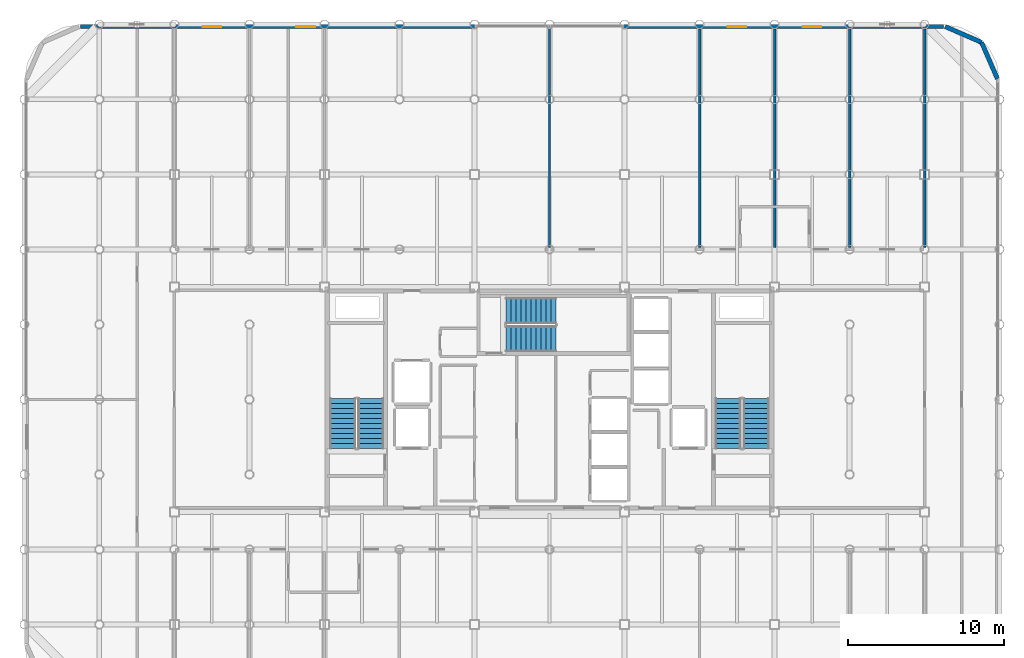
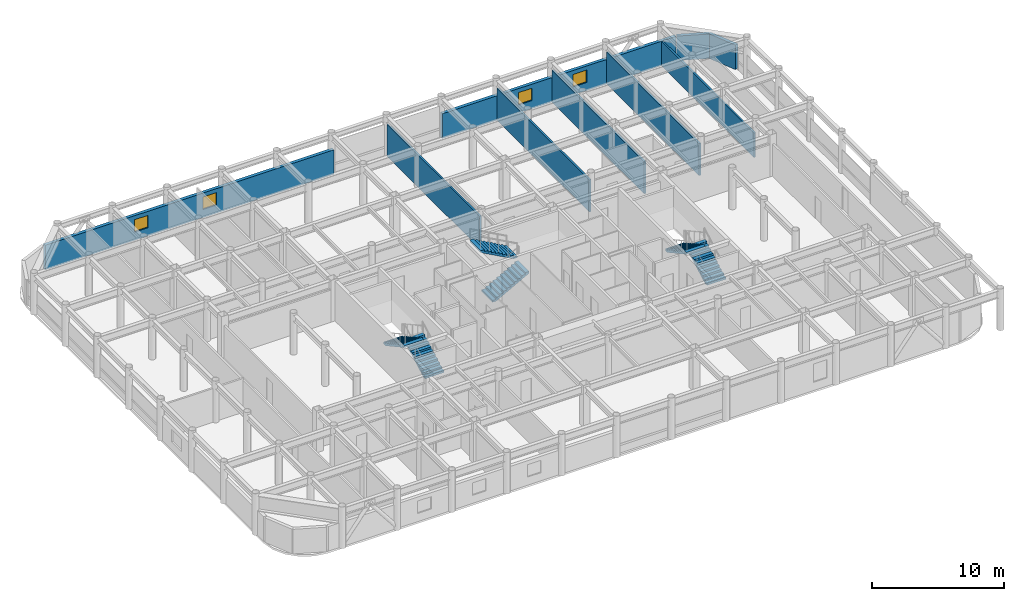
# One storey, part 21 of 22: 9 walls, 6 stair flights, 4 windows, 4 openings, 3 elements without a shape of their own.
"""IFC4 building model written with IfcOpenShell, lengths in metres."""

from ifc_helpers import new_model, si_unit, direction, frame, frame_2d, origin, place, context, subcontext, project, spatial, polyline, rectangle, outline, extrude, material, layer, layer_set, type_object, element, fill, aggregate, save


model = new_model("IFC4")

# Units and contexts
model_context = context("Model", 3, precision=1e-05, world=origin(), true_north=direction((0.0, 1.0)))
body_context = subcontext(model_context, "Body", "Model", "MODEL_VIEW")
ifc_project = project(units=[si_unit("LENGTHUNIT", "METRE"), si_unit("AREAUNIT", "SQUARE_METRE"), si_unit("VOLUMEUNIT", "CUBIC_METRE"), si_unit("PLANEANGLEUNIT", "RADIAN"), si_unit("MASSUNIT", "GRAM", prefix="KILO")], contexts=[model_context])

# Site, building, storey
site_placement = place(None, origin())
site = spatial("IfcSite", under=ifc_project, at=site_placement, CompositionType="ELEMENT")
building_placement = place(site_placement, origin())
building = spatial("IfcBuilding", under=site, at=building_placement, Name="Kallvorn Hotel Tower", CompositionType="ELEMENT")
storey_placement = place(building_placement, frame((0.0, 0.0, 260.800048828125)))
storey = spatial("IfcBuildingStorey", under=building, at=storey_placement, Name="L65", CompositionType="ELEMENT", Elevation=260.800048828125)

# Walls
ifc_material_1 = material(Name="Fire-rated double-layer acoustic gypsum drywall EI 60")
ifc_layer_1 = layer(ifc_material_1, 0.159912109375)
ifc_layer_set_1 = layer_set([ifc_layer_1], Name="WL_DEMISE_160")
wall_type_1 = type_object("IfcWallType", Name="WL_DEMISE_160", PredefinedType="PARTITIONING", material=ifc_layer_set_1)
for number, where, z_axis, x_axis, name in (
    (1, (9.60009765625, 9.719970703125, 0.0), (0.0, 0.0, 1.0), (0.0, 1.0, 0.0), "L65 Suite 6503 Standard King Room Partition"),
    (2, (14.39990234375, 9.719970703125, 0.0), (0.0, 0.0, 1.0), (0.0, 1.0, 0.0), "L65 Suite 6503 Standard King Room Partition"),
    (3, (19.199951171875, 9.719970703125, 0.0), (0.0, 0.0, 1.0), (0.0, 1.0, 0.0), "L65 Suite 6504 Standard King Room Partition"),
):
    element("IfcWall", number, at=place(storey_placement, frame(where, z_axis=z_axis, x_axis=x_axis)), inside=storey, type_object=wall_type_1, Name=name, PredefinedType="PARTITIONING", context=body_context, shape_type="SweptSolid", body=[
        extrude(rectangle(XDim=13.989990234375, YDim=0.159912109375, at=frame_2d((6.9951171875, 0.0))), origin(), (0.0, 0.0, 1.0), 2.969970703125),
    ])
ifc_material_2 = material(Name="Precast basalt-clad insulated concrete wall C40/50", Category="masonry")
ifc_layer_2 = layer(ifc_material_2, 0.280029296875)
ifc_layer_set_2 = layer_set([ifc_layer_2], Name="WL_EXT_LOGGIA_280")
wall_type_2 = type_object("IfcWallType", Name="WL_EXT_LOGGIA_280", PredefinedType="SOLIDWALL", material=ifc_layer_set_2)
wall_1_placement = place(storey_placement, frame((28.657958984375, 20.520751953125, 0.0), z_axis=(0.0, 0.0, 1.0), x_axis=(-0.398792985289, 0.917040977756, 0.0)))
element("IfcWall", 4, at=wall_1_placement, inside=storey, type_object=wall_type_2, Name="L65 Rounded Corner Exterior Wall NE1", PredefinedType="SOLIDWALL", context=body_context, shape_type="SweptSolid", body=[
    extrude(rectangle(XDim=2.536376953125, YDim=0.280029296875, at=frame_2d((1.26806640625, 0.0))), origin(), (0.0, 0.0, 1.0), 2.27001953125),
])
wall_2_placement = place(storey_placement, frame((27.646484375, 22.8466796875, 0.0), z_axis=(0.0, 0.0, 1.0), x_axis=(-0.917060872934, 0.398747232384, 0.0)))
element("IfcWall", 5, at=wall_2_placement, inside=storey, type_object=wall_type_2, Name="L65 Rounded Corner Exterior Wall NE2", PredefinedType="SOLIDWALL", context=body_context, shape_type="SweptSolid", body=[
    extrude(rectangle(XDim=2.5361328125, YDim=0.280029296875, at=frame_2d((1.26806640625, 0.0))), origin(), (0.0, 0.0, 1.0), 2.27001953125),
])

# Wall, openings, windows
wall_3_placement = place(storey_placement, frame((-30.0, 23.860107421875, 0.0), z_axis=(0.0, 0.0, 1.0), x_axis=(1.0, 0.0, 0.0)))
wall_3 = element("IfcWall", 6, at=wall_3_placement, inside=storey, type_object=wall_type_2, Name="L65 Exterior Envelope Wall EW-L65-NW", PredefinedType="SOLIDWALL", context=body_context, shape_type="SweptSolid", body=[
    extrude(rectangle(XDim=25.25, YDim=0.280029296875, at=frame_2d((12.625, 0.0))), origin(), (0.0, 0.0, 1.0), 2.27001953125),
])
opening_1_placement = place(wall_3_placement, frame((7.800048828125, 0.0, 0.75)))
opening_1 = element("IfcOpeningElement", 7, at=opening_1_placement, cuts=wall_3, Name="Opening W06A", PredefinedType="OPENING", context=body_context, shape_type="SweptSolid", body=[
    extrude(rectangle(XDim=1.199951171875, YDim=1.14990234375, at=frame_2d((0.60009765625, 0.574951171875))), frame((0.0, 0.155029296875, 0.0), z_axis=(0.0, -1.0, 0.0), x_axis=(1.0, 0.0, 0.0)), (0.0, 0.0, 1.0), 0.31005859375),
])
opening_2_placement = place(wall_3_placement, frame((13.800048828125, 0.0, 0.75)))
opening_2 = element("IfcOpeningElement", 8, at=opening_2_placement, cuts=wall_3, Name="Opening W06A", PredefinedType="OPENING", context=body_context, shape_type="SweptSolid", body=[
    extrude(rectangle(XDim=1.199951171875, YDim=1.14990234375, at=frame_2d((0.60009765625, 0.574951171875))), frame((0.0, 0.155029296875, 0.0), z_axis=(0.0, -1.0, 0.0), x_axis=(1.0, 0.0, 0.0)), (0.0, 0.0, 1.0), 0.31005859375),
])
ifc_material_3 = material(Name="Triple-glazed low-e acoustic solar-control dark glass", Category="glass")
window_type = type_object("IfcWindowType", Name="WN_HTL_1200x1150", PartitioningType="SINGLE_PANEL", PredefinedType="WINDOW", material=ifc_material_3)
window_1_placement = place(opening_1_placement, origin())
window_1 = element("IfcWindow", 9, at=window_1_placement, inside=storey, type_object=window_type, Name="L65 Guestroom Exterior Window 02", OverallHeight=1.14990234375, OverallWidth=1.199951171875, PartitioningType="SINGLE_PANEL", PredefinedType="WINDOW", context=body_context, shape_type="SweptSolid", body=[
    extrude(rectangle(XDim=1.199951171875, YDim=1.14990234375, at=frame_2d((0.60009765625, 0.574951171875))), frame((0.0, 0.030029296875, 0.0), z_axis=(0.0, -1.0, 0.0), x_axis=(1.0, 0.0, 0.0)), (0.0, 0.0, 1.0), 0.06005859375),
])
fill(opening_1, window_1)
window_2_placement = place(opening_2_placement, origin())
window_2 = element("IfcWindow", 10, at=window_2_placement, inside=storey, type_object=window_type, Name="L65 Guestroom Exterior Window 07", OverallHeight=1.14990234375, OverallWidth=1.199951171875, PartitioningType="SINGLE_PANEL", PredefinedType="WINDOW", context=body_context, shape_type="SweptSolid", body=[
    extrude(rectangle(XDim=1.199951171875, YDim=1.14990234375, at=frame_2d((0.60009765625, 0.574951171875))), frame((0.0, 0.030029296875, 0.0), z_axis=(0.0, -1.0, 0.0), x_axis=(1.0, 0.0, 0.0)), (0.0, 0.0, 1.0), 0.06005859375),
])
fill(opening_2, window_2)

wall_4_placement = place(storey_placement, frame((4.75, 23.860107421875, 0.0), z_axis=(0.0, 0.0, 1.0), x_axis=(1.0, 0.0, 0.0)))
wall_4 = element("IfcWall", 11, at=wall_4_placement, inside=storey, type_object=wall_type_2, Name="L65 Exterior Envelope Wall EW-L65-NE", PredefinedType="SOLIDWALL", context=body_context, shape_type="SweptSolid", body=[
    extrude(rectangle(XDim=20.449951171875, YDim=0.280029296875, at=frame_2d((10.22509765625, 0.0))), origin(), (0.0, 0.0, 1.0), 2.27001953125),
])
opening_3_placement = place(wall_4_placement, frame((6.64990234375, 0.0, 0.75)))
opening_3 = element("IfcOpeningElement", 12, at=opening_3_placement, cuts=wall_4, Name="Opening W06A", PredefinedType="OPENING", context=body_context, shape_type="SweptSolid", body=[
    extrude(rectangle(XDim=1.199951171875, YDim=1.14990234375, at=frame_2d((0.60009765625, 0.574951171875))), frame((0.0, 0.155029296875, 0.0), z_axis=(0.0, -1.0, 0.0), x_axis=(1.0, 0.0, 0.0)), (0.0, 0.0, 1.0), 0.31005859375),
])
opening_4_placement = place(wall_4_placement, frame((11.449951171875, 0.0, 0.75)))
opening_4 = element("IfcOpeningElement", 13, at=opening_4_placement, cuts=wall_4, Name="Opening W06A", PredefinedType="OPENING", context=body_context, shape_type="SweptSolid", body=[
    extrude(rectangle(XDim=1.199951171875, YDim=1.14990234375, at=frame_2d((0.60009765625, 0.574951171875))), frame((0.0, 0.155029296875, 0.0), z_axis=(0.0, -1.0, 0.0), x_axis=(1.0, 0.0, 0.0)), (0.0, 0.0, 1.0), 0.31005859375),
])
window_3_placement = place(opening_3_placement, origin())
window_3 = element("IfcWindow", 14, at=window_3_placement, inside=storey, type_object=window_type, Name="L65 Guestroom Exterior Window 08", OverallHeight=1.14990234375, OverallWidth=1.199951171875, PartitioningType="SINGLE_PANEL", PredefinedType="WINDOW", context=body_context, shape_type="SweptSolid", body=[
    extrude(rectangle(XDim=1.199951171875, YDim=1.14990234375, at=frame_2d((0.60009765625, 0.574951171875))), frame((0.0, 0.030029296875, 0.0), z_axis=(0.0, -1.0, 0.0), x_axis=(1.0, 0.0, 0.0)), (0.0, 0.0, 1.0), 0.06005859375),
])
fill(opening_3, window_3)
window_4_placement = place(opening_4_placement, origin())
window_4 = element("IfcWindow", 15, at=window_4_placement, inside=storey, type_object=window_type, Name="L65 Guestroom Exterior Window 09", OverallHeight=1.14990234375, OverallWidth=1.199951171875, PartitioningType="SINGLE_PANEL", PredefinedType="WINDOW", context=body_context, shape_type="SweptSolid", body=[
    extrude(rectangle(XDim=1.199951171875, YDim=1.14990234375, at=frame_2d((0.60009765625, 0.574951171875))), frame((0.0, 0.030029296875, 0.0), z_axis=(0.0, -1.0, 0.0), x_axis=(1.0, 0.0, 0.0)), (0.0, 0.0, 1.0), 0.06005859375),
])
fill(opening_4, window_4)

# Walls
ifc_material_4 = material(Name="Fire-rated double-layer acoustic gypsum drywall EI 60")
ifc_layer_3 = layer(ifc_material_4, 0.14990234375)
ifc_layer_set_3 = layer_set([ifc_layer_3], Name="WL_PART_150")
wall_type_3 = type_object("IfcWallType", Name="WL_PART_150", PredefinedType="PARTITIONING", material=ifc_layer_set_3)
wall_5_placement = place(storey_placement, frame((0.0, 9.719970703125, 0.0), z_axis=(0.0, 0.0, 1.0), x_axis=(0.0, 1.0, 0.0)))
element("IfcWall", 16, at=wall_5_placement, inside=storey, type_object=wall_type_3, Name="L65 L65 Curated Emerald Craft Retail Boutique 2 Partition", PredefinedType="PARTITIONING", context=body_context, shape_type="SweptSolid", body=[
    extrude(rectangle(XDim=14.074951171875, YDim=0.14990234375, at=frame_2d((7.03759765625, 0.0))), origin(), (0.0, 0.0, 1.0), 2.969970703125),
])
wall_6_placement = place(storey_placement, frame((24.0, 9.719970703125, 0.0), z_axis=(0.0, 0.0, 1.0), x_axis=(0.0, 1.0, 0.0)))
element("IfcWall", 17, at=wall_6_placement, inside=storey, type_object=wall_type_3, Name="L65 L65 High-Zone North-East Pastry Bar Partition", PredefinedType="PARTITIONING", context=body_context, shape_type="SweptSolid", body=[
    extrude(rectangle(XDim=13.989990234375, YDim=0.14990234375, at=frame_2d((6.9951171875, 0.0))), origin(), (0.0, 0.0, 1.0), 2.27001953125),
])

# Stair, stair flights
ifc_material_5 = material(Name="Precast concrete C40/50", Category="concrete")
stair_type = type_object("IfcStairType", Name="STR_CORE_DOGLEG", PredefinedType="HALF_TURN_STAIR", material=ifc_material_5)
stair_1_placement = place(storey_placement, origin())
stair_1 = element("IfcStair", 18, at=stair_1_placement, inside=storey, type_object=stair_type, Name="L65 Exit stair ST1", PredefinedType="HALF_TURN_STAIR")
ifc_material_6 = material(Name="Precast concrete C40/50", Category="concrete")
stair_flight_type = type_object("IfcStairFlightType", Name="FLT_CORE_1660", PredefinedType="STRAIGHT", material=ifc_material_6)
stair_flight_1_placement = place(storey_placement, frame((-11.429931640625, -3.139892578125, 0.0), z_axis=(0.0, 0.0, 1.0), x_axis=(0.0, 1.0, 0.0)))
stair_flight_1 = element("IfcStairFlight", 19, at=stair_flight_1_placement, type_object=stair_flight_type, Name="ST1 flight 1", NumberOfRisers=11, NumberOfTreads=10, PredefinedType="STRAIGHT", RiserHeight=0.175, TreadLength=0.32, context=body_context, shape_type="SweptSolid", body=[
    extrude(outline(polyline([(0.0, 0.0), (0.0, 0.175048828125), (0.320068359375, 0.175048828125), (0.320068359375, 0.35009765625), (0.639892578125, 0.35009765625), (0.639892578125, 0.52490234375), (0.9599609375, 0.52490234375), (0.9599609375, 0.699951171875), (1.280029296875, 0.699951171875), (1.280029296875, 0.875), (1.60009765625, 0.875), (1.60009765625, 1.050048828125), (1.919921875, 1.050048828125), (1.919921875, 1.22509765625), (2.239990234375, 1.22509765625), (2.239990234375, 1.39990234375), (2.56005859375, 1.39990234375), (2.56005859375, 1.574951171875), (2.8798828125, 1.574951171875), (2.8798828125, 1.75), (3.199951171875, 1.75), (3.199951171875, 1.925048828125), (3.199951171875, 1.5791015625), (0.3125, 0.0), (0.0, 0.0)])), frame((0.0, 0.830078125, 0.0), z_axis=(0.0, -1.0, 0.0), x_axis=(1.0, 0.0, 0.0)), (0.0, 0.0, 1.0), 1.659912109375),
])
stair_flight_2_placement = place(storey_placement, frame((-13.22998046875, 0.06005859375, 1.925048828125), z_axis=(0.0, 0.0, 1.0), x_axis=(0.0, -1.0, 0.0)))
stair_flight_2 = element("IfcStairFlight", 20, at=stair_flight_2_placement, type_object=stair_flight_type, Name="ST1 flight 2", NumberOfRisers=11, NumberOfTreads=10, PredefinedType="STRAIGHT", RiserHeight=0.175, TreadLength=0.32, context=body_context, shape_type="SweptSolid", body=[
    extrude(outline(polyline([(0.0, 0.0), (0.0, 0.175048828125), (0.320068359375, 0.175048828125), (0.320068359375, 0.35009765625), (0.639892578125, 0.35009765625), (0.639892578125, 0.52490234375), (0.9599609375, 0.52490234375), (0.9599609375, 0.699951171875), (1.280029296875, 0.699951171875), (1.280029296875, 0.875), (1.60009765625, 0.875), (1.60009765625, 1.050048828125), (1.919921875, 1.050048828125), (1.919921875, 1.22509765625), (2.239990234375, 1.22509765625), (2.239990234375, 1.39990234375), (2.56005859375, 1.39990234375), (2.56005859375, 1.574951171875), (2.8798828125, 1.574951171875), (2.8798828125, 1.75), (3.199951171875, 1.75), (3.199951171875, 1.925048828125), (3.199951171875, 1.5791015625), (0.3125, 0.0), (0.0, 0.0)])), frame((0.0, 0.830078125, 0.0), z_axis=(0.0, -1.0, 0.0), x_axis=(1.0, 0.0, 0.0)), (0.0, 0.0, 1.0), 1.659912109375),
])
aggregate(stair_1, [stair_flight_1, stair_flight_2])

stair_2_placement = place(storey_placement, origin())
stair_2 = element("IfcStair", 21, at=stair_2_placement, inside=storey, type_object=stair_type, Name="L65 Exit stair ST2", PredefinedType="HALF_TURN_STAIR")
stair_flight_3_placement = place(storey_placement, frame((13.22998046875, -3.139892578125, 0.0), z_axis=(0.0, 0.0, 1.0), x_axis=(0.0, 1.0, 0.0)))
stair_flight_3 = element("IfcStairFlight", 22, at=stair_flight_3_placement, type_object=stair_flight_type, Name="ST2 flight 1", NumberOfRisers=11, NumberOfTreads=10, PredefinedType="STRAIGHT", RiserHeight=0.175, TreadLength=0.32, context=body_context, shape_type="SweptSolid", body=[
    extrude(outline(polyline([(0.0, 0.0), (0.0, 0.175048828125), (0.320068359375, 0.175048828125), (0.320068359375, 0.35009765625), (0.639892578125, 0.35009765625), (0.639892578125, 0.52490234375), (0.9599609375, 0.52490234375), (0.9599609375, 0.699951171875), (1.280029296875, 0.699951171875), (1.280029296875, 0.875), (1.60009765625, 0.875), (1.60009765625, 1.050048828125), (1.919921875, 1.050048828125), (1.919921875, 1.22509765625), (2.239990234375, 1.22509765625), (2.239990234375, 1.39990234375), (2.56005859375, 1.39990234375), (2.56005859375, 1.574951171875), (2.8798828125, 1.574951171875), (2.8798828125, 1.75), (3.199951171875, 1.75), (3.199951171875, 1.925048828125), (3.199951171875, 1.5791015625), (0.3125, 0.0), (0.0, 0.0)])), frame((0.0, 0.830078125, 0.0), z_axis=(0.0, -1.0, 0.0), x_axis=(1.0, 0.0, 0.0)), (0.0, 0.0, 1.0), 1.659912109375),
])
stair_flight_4_placement = place(storey_placement, frame((11.429931640625, 0.06005859375, 1.925048828125), z_axis=(0.0, 0.0, 1.0), x_axis=(0.0, -1.0, 0.0)))
stair_flight_4 = element("IfcStairFlight", 23, at=stair_flight_4_placement, type_object=stair_flight_type, Name="ST2 flight 2", NumberOfRisers=11, NumberOfTreads=10, PredefinedType="STRAIGHT", RiserHeight=0.175, TreadLength=0.32, context=body_context, shape_type="SweptSolid", body=[
    extrude(outline(polyline([(0.0, 0.0), (0.0, 0.175048828125), (0.320068359375, 0.175048828125), (0.320068359375, 0.35009765625), (0.639892578125, 0.35009765625), (0.639892578125, 0.52490234375), (0.9599609375, 0.52490234375), (0.9599609375, 0.699951171875), (1.280029296875, 0.699951171875), (1.280029296875, 0.875), (1.60009765625, 0.875), (1.60009765625, 1.050048828125), (1.919921875, 1.050048828125), (1.919921875, 1.22509765625), (2.239990234375, 1.22509765625), (2.239990234375, 1.39990234375), (2.56005859375, 1.39990234375), (2.56005859375, 1.574951171875), (2.8798828125, 1.574951171875), (2.8798828125, 1.75), (3.199951171875, 1.75), (3.199951171875, 1.925048828125), (3.199951171875, 1.5791015625), (0.3125, 0.0), (0.0, 0.0)])), frame((0.0, 0.830078125, 0.0), z_axis=(0.0, -1.0, 0.0), x_axis=(1.0, 0.0, 0.0)), (0.0, 0.0, 1.0), 1.659912109375),
])
aggregate(stair_2, [stair_flight_3, stair_flight_4])

stair_3_placement = place(storey_placement, origin())
stair_3 = element("IfcStair", 24, at=stair_3_placement, inside=storey, type_object=stair_type, Name="L65 Exit stair ST3", PredefinedType="HALF_TURN_STAIR")
stair_flight_5_placement = place(storey_placement, frame((-2.7900390625, 3.8798828125, 0.0), z_axis=(0.0, 0.0, 1.0), x_axis=(1.0, 0.0, 0.0)))
stair_flight_5 = element("IfcStairFlight", 25, at=stair_flight_5_placement, type_object=stair_flight_type, Name="ST3 flight 1", NumberOfRisers=11, NumberOfTreads=10, PredefinedType="STRAIGHT", RiserHeight=0.175, TreadLength=0.32, context=body_context, shape_type="SweptSolid", body=[
    extrude(outline(polyline([(0.0, 0.0), (0.0, 0.175048828125), (0.320068359375, 0.175048828125), (0.320068359375, 0.35009765625), (0.639892578125, 0.35009765625), (0.639892578125, 0.52490234375), (0.9599609375, 0.52490234375), (0.9599609375, 0.699951171875), (1.280029296875, 0.699951171875), (1.280029296875, 0.875), (1.60009765625, 0.875), (1.60009765625, 1.050048828125), (1.919921875, 1.050048828125), (1.919921875, 1.22509765625), (2.239990234375, 1.22509765625), (2.239990234375, 1.39990234375), (2.56005859375, 1.39990234375), (2.56005859375, 1.574951171875), (2.8798828125, 1.574951171875), (2.8798828125, 1.75), (3.199951171875, 1.75), (3.199951171875, 1.925048828125), (3.199951171875, 1.5791015625), (0.3125, 0.0), (0.0, 0.0)])), frame((0.0, 0.830078125, 0.0), z_axis=(0.0, -1.0, 0.0), x_axis=(1.0, 0.0, 0.0)), (0.0, 0.0, 1.0), 1.659912109375),
])
stair_flight_6_placement = place(storey_placement, frame((0.409912109375, 5.679931640625, 1.925048828125), z_axis=(0.0, 0.0, 1.0), x_axis=(-1.0, 0.0, 0.0)))
stair_flight_6 = element("IfcStairFlight", 26, at=stair_flight_6_placement, type_object=stair_flight_type, Name="ST3 flight 2", NumberOfRisers=11, NumberOfTreads=10, PredefinedType="STRAIGHT", RiserHeight=0.175, TreadLength=0.32, context=body_context, shape_type="SweptSolid", body=[
    extrude(outline(polyline([(0.0, 0.0), (0.0, 0.175048828125), (0.320068359375, 0.175048828125), (0.320068359375, 0.35009765625), (0.639892578125, 0.35009765625), (0.639892578125, 0.52490234375), (0.9599609375, 0.52490234375), (0.9599609375, 0.699951171875), (1.280029296875, 0.699951171875), (1.280029296875, 0.875), (1.60009765625, 0.875), (1.60009765625, 1.050048828125), (1.919921875, 1.050048828125), (1.919921875, 1.22509765625), (2.239990234375, 1.22509765625), (2.239990234375, 1.39990234375), (2.56005859375, 1.39990234375), (2.56005859375, 1.574951171875), (2.8798828125, 1.574951171875), (2.8798828125, 1.75), (3.199951171875, 1.75), (3.199951171875, 1.925048828125), (3.199951171875, 1.5791015625), (0.3125, 0.0), (0.0, 0.0)])), frame((0.0, 0.830078125, 0.0), z_axis=(0.0, -1.0, 0.0), x_axis=(1.0, 0.0, 0.0)), (0.0, 0.0, 1.0), 1.659912109375),
])
aggregate(stair_3, [stair_flight_5, stair_flight_6])

save(model, "model.ifc")
